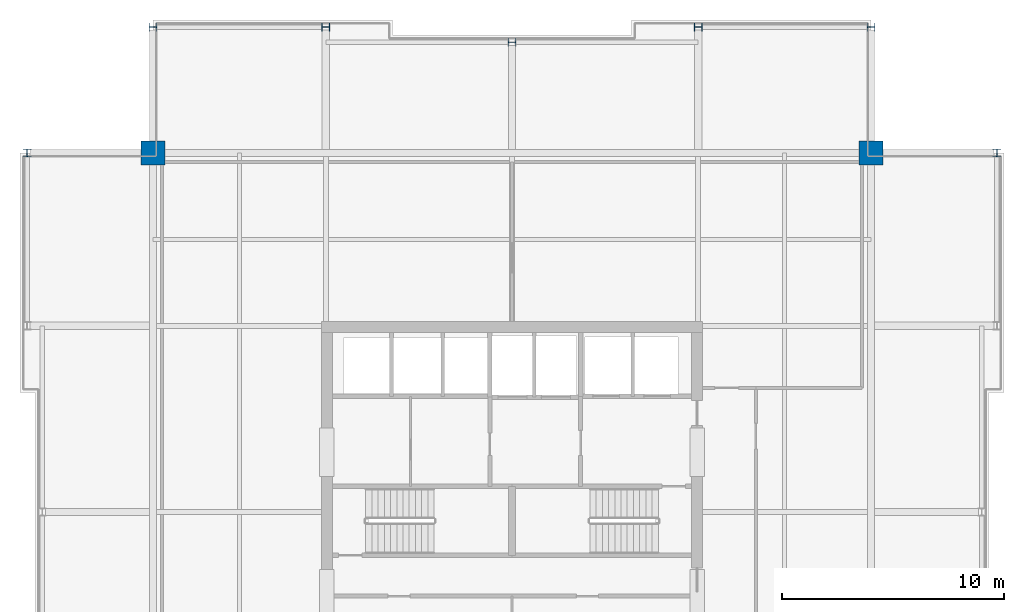
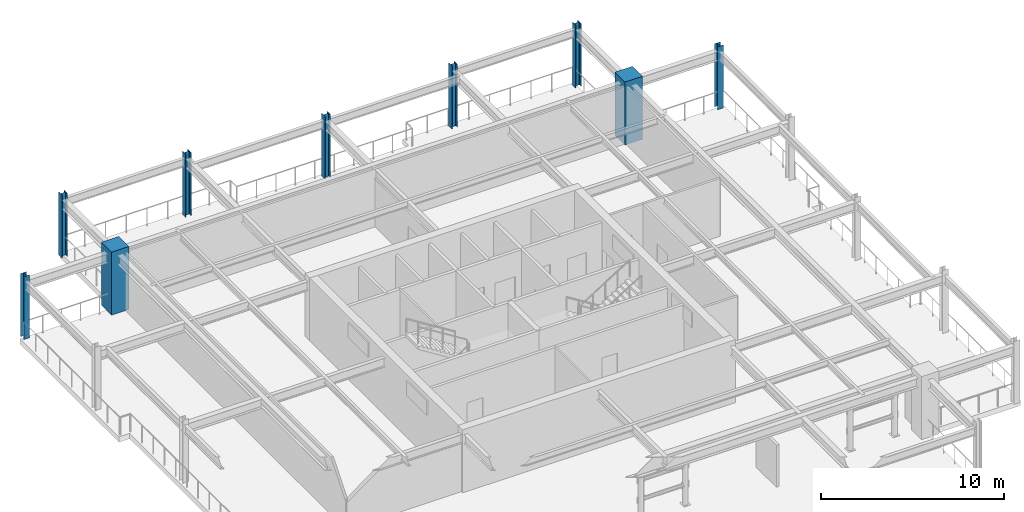
# One storey, part 3 of 13: 9 columns.
"""IFC4 building model written with IfcOpenShell, lengths in metres."""

from ifc_helpers import new_model, si_unit, direction, frame, origin, origin_2d, place, context, subcontext, project, spatial, rectangle, i_section, extrude, material, material_profile, profile_set, type_object, element, save


model = new_model("IFC4")

# Units and contexts
model_context = context("Model", 3, precision=1e-05, world=origin(), true_north=direction((0.0, 1.0)))
body_context = subcontext(model_context, "Body", "Model", "MODEL_VIEW")
ifc_project = project(units=[si_unit("LENGTHUNIT", "METRE"), si_unit("AREAUNIT", "SQUARE_METRE"), si_unit("VOLUMEUNIT", "CUBIC_METRE"), si_unit("PLANEANGLEUNIT", "RADIAN"), si_unit("MASSUNIT", "GRAM", prefix="KILO")], contexts=[model_context])

# Site, building, storey
site_placement = place(None, origin())
site = spatial("IfcSite", under=ifc_project, at=site_placement, CompositionType="ELEMENT")
building_placement = place(site_placement, origin())
building = spatial("IfcBuilding", under=site, at=building_placement, Name="Drelvath Grand Hotel", CompositionType="ELEMENT")
storey_placement = place(building_placement, frame((0.0, 0.0, 303.0)))
storey = spatial("IfcBuildingStorey", under=building, at=storey_placement, Name="L79", CompositionType="ELEMENT", Elevation=303.0)

# Columns
ifc_material_1 = material(Name="Concrete f'c 55 MPa", Category="concrete")
ifc_material_profile_1 = material_profile(ifc_material_1, rectangle(XDim=1.10009765625, YDim=1.10009765625, at=origin_2d()), Name="MC1100X1100")
ifc_profile_set_1 = profile_set([ifc_material_profile_1], Name="Concrete f'c 55 MPa")
column_type_1 = type_object("IfcColumnType", Name="Composite Mega Column MC1100X1100", PredefinedType="COLUMN", material=ifc_profile_set_1)
for number, where, z_axis, x_axis, name in (
    (1, (-16.199951171875, 43.199951171875, 0.0), (0.0, 0.0, 1.0), (1.0, 0.0, 0.0), "L79 Composite Mega Column MC-NW"),
    (2, (16.199951171875, 43.199951171875, 0.0), (0.0, 0.0, 1.0), (1.0, 0.0, 0.0), "L79 Composite Mega Column MC-NE"),
):
    element("IfcColumn", number, at=place(storey_placement, frame(where, z_axis=z_axis, x_axis=x_axis)), inside=storey, type_object=column_type_1, Name=name, PredefinedType="COLUMN", context=body_context, shape_type="SweptSolid", body=[
        extrude(rectangle(XDim=1.10009765625, YDim=1.10009765625, at=origin_2d()), origin(), (0.0, 0.0, 1.0), 4.199951171875),
    ])
ifc_material_2 = material(Name="Steel ASTM A913 Gr 65", Category="steel")
ifc_material_profile_2 = material_profile(ifc_material_2, i_section(OverallWidth=0.368896484375, OverallDepth=0.356201171875, WebThickness=0.01123046875, FlangeThickness=0.01806640625, FilletRadius=0.02490234375, at=origin_2d()), Name="W14X90")
ifc_profile_set_2 = profile_set([ifc_material_profile_2], Name="Steel ASTM A913 Gr 65")
column_type_2 = type_object("IfcColumnType", Name="Perimeter Steel Column W14X90", PredefinedType="COLUMN", material=ifc_profile_set_2)
for number, where, z_axis, x_axis, name in (
    (3, (-21.8798828125, 43.199951171875, 0.0), (0.0, 0.0, 1.0), (1.0, 0.0, 0.0), "L79 Structural Column TCW-G"),
    (4, (21.8798828125, 43.199951171875, 0.0), (0.0, 0.0, 1.0), (1.0, 0.0, 0.0), "L79 Structural Column TCE-G"),
    (5, (-16.199951171875, 48.8798828125, 0.0), (0.0, 0.0, 1.0), (0.0, 1.0, 0.0), "L79 Structural Column TCN-3"),
    (6, (-8.39990234375, 48.8798828125, 0.0), (0.0, 0.0, 1.0), (0.0, 1.0, 0.0), "L79 Structural Column TCN-4"),
    (7, (0.0, 48.199951171875, 0.0), (0.0, 0.0, 1.0), (0.0, 1.0, 0.0), "L79 Structural Column TCN-5"),
    (8, (8.39990234375, 48.8798828125, 0.0), (0.0, 0.0, 1.0), (0.0, 1.0, 0.0), "L79 Structural Column TCN-6"),
    (9, (16.199951171875, 48.8798828125, 0.0), (0.0, 0.0, 1.0), (0.0, 1.0, 0.0), "L79 Structural Column TCN-7"),
):
    element("IfcColumn", number, at=place(storey_placement, frame(where, z_axis=z_axis, x_axis=x_axis)), inside=storey, type_object=column_type_2, Name=name, PredefinedType="COLUMN", context=body_context, shape_type="SweptSolid", body=[
        extrude(i_section(OverallWidth=0.368896484375, OverallDepth=0.356201171875, WebThickness=0.01123046875, FlangeThickness=0.01806640625, FilletRadius=0.02490234375, at=origin_2d()), origin(), (0.0, 0.0, 1.0), 4.197021484375),
    ])

save(model, "model.ifc")
